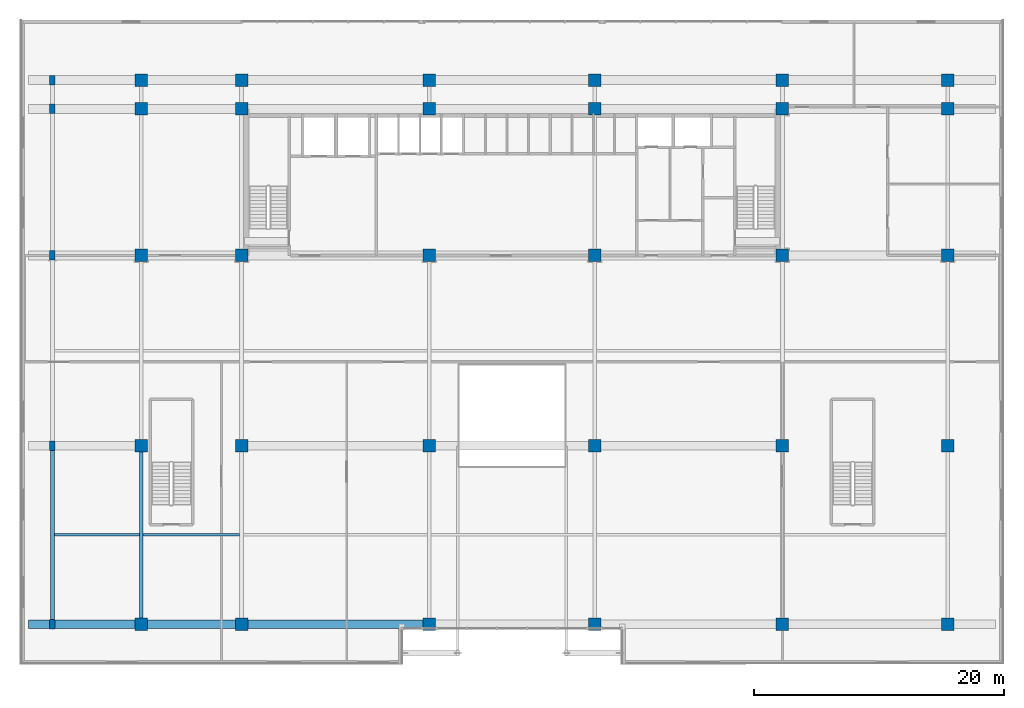
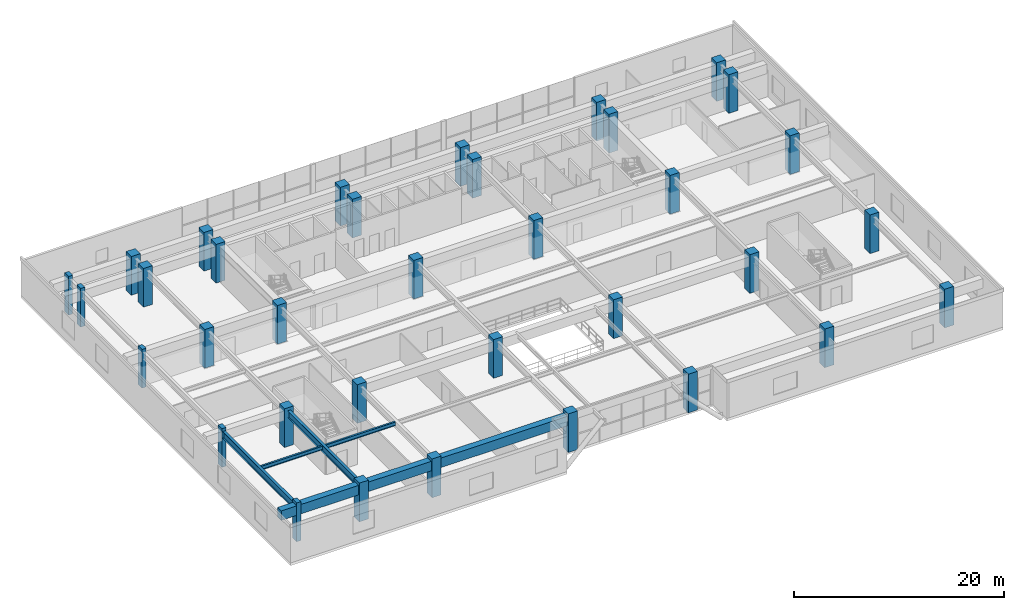
# One storey, part 1 of 21: 35 columns, 7 beams.
"""IFC4 building model written with IfcOpenShell, lengths in metres."""

from ifc_helpers import new_model, si_unit, direction, frame, origin, origin_2d, place, context, subcontext, project, spatial, rectangle, i_section, extrude, source, transform, mapped, material, material_profile, profile_set, type_object, element, save


model = new_model("IFC4")

# Units and contexts
model_context = context("Model", 3, precision=1e-05, world=origin(), true_north=direction((0.0, 1.0)))
body_context = subcontext(model_context, "Body", "Model", "MODEL_VIEW")
ifc_project = project(units=[si_unit("LENGTHUNIT", "METRE"), si_unit("AREAUNIT", "SQUARE_METRE"), si_unit("VOLUMEUNIT", "CUBIC_METRE"), si_unit("PLANEANGLEUNIT", "RADIAN"), si_unit("MASSUNIT", "GRAM", prefix="KILO")], contexts=[model_context])

# Site, building, storey
site_placement = place(None, origin())
site = spatial("IfcSite", under=ifc_project, at=site_placement, CompositionType="ELEMENT")
building_placement = place(site_placement, origin())
building = spatial("IfcBuilding", under=site, at=building_placement, Name="Trelvane Seafront Commons", CompositionType="ELEMENT")
storey_placement = place(building_placement, frame((0.0, 0.0, 14.199951171875)))
storey = spatial("IfcBuildingStorey", under=building, at=storey_placement, Name="L03", CompositionType="ELEMENT", Elevation=14.199951171875)

# Columns
ifc_material_1 = material(Name="Concrete C50/60", Category="concrete")
ifc_material_profile_1 = material_profile(ifc_material_1, rectangle(XDim=0.449951171875, YDim=0.75, at=origin_2d()), Name="RC-450x750")
ifc_profile_set_1 = profile_set([ifc_material_profile_1], Name="Concrete C50/60")
column_type_1 = type_object("IfcColumnType", Name="STR-PIL-RC450x750", PredefinedType="PILASTER", material=ifc_profile_set_1)
shared_shape_1 = source(origin(), body_context, "Body", "SweptSolid", [
    extrude(rectangle(XDim=0.449951171875, YDim=0.75, at=origin_2d()), origin(), (0.0, 0.0, 1.0), 4.5),
])
for number, where, z_axis, x_axis, name in (
    (1, (0.5, 3.949951171875, 0.0), (0.0, 0.0, 1.0), (1.0, 0.0, 0.0), "L03 Column PC-1-1"),
    (2, (0.5, 18.199951171875, 0.0), (0.0, 0.0, 1.0), (1.0, 0.0, 0.0), "L03 Column PC-1-2"),
    (3, (0.5, 33.39990234375, 0.0), (0.0, 0.0, 1.0), (1.0, 0.0, 0.0), "L03 Column PC-1-3"),
    (4, (0.5, 45.10009765625, 0.0), (0.0, 0.0, 1.0), (1.0, 0.0, 0.0), "L03 Column PC-1-4"),
    (5, (0.5, 47.39990234375, 0.0), (0.0, 0.0, 1.0), (1.0, 0.0, 0.0), "L03 Column PC-1-5"),
):
    element("IfcColumn", number, at=place(storey_placement, frame(where, z_axis=z_axis, x_axis=x_axis)), inside=storey, type_object=column_type_1, Name=name, PredefinedType="PILASTER", context=body_context, shape_type="MappedRepresentation", body=[
        mapped(shared_shape_1, transform((0.0, 0.0, 0.0), x_axis=(1.0, 0.0, 0.0), y_axis=(0.0, 1.0, 0.0), z_axis=(0.0, 0.0, 1.0), scale=1.0)),
    ])
ifc_material_2 = material(Name="Concrete C60/75", Category="concrete")
ifc_material_profile_2 = material_profile(ifc_material_2, rectangle(XDim=1.0, YDim=1.0, at=origin_2d()), Name="RC-1000x1000")
ifc_profile_set_2 = profile_set([ifc_material_profile_2], Name="Concrete C60/75")
column_type_2 = type_object("IfcColumnType", Name="STR-COL-RC1000", PredefinedType="COLUMN", material=ifc_profile_set_2)
shared_shape_2 = source(origin(), body_context, "Body", "SweptSolid", [
    extrude(rectangle(XDim=1.0, YDim=1.0, at=origin_2d()), origin(), (0.0, 0.0, 1.0), 4.5),
])
for number, where, z_axis, x_axis, name in (
    (6, (7.60009765625, 3.949951171875, 0.0), (0.0, 0.0, 1.0), (1.0, 0.0, 0.0), "L03 Column PC-2-1"),
    (7, (7.60009765625, 18.199951171875, 0.0), (0.0, 0.0, 1.0), (1.0, 0.0, 0.0), "L03 Column PC-2-2"),
    (8, (7.60009765625, 33.39990234375, 0.0), (0.0, 0.0, 1.0), (1.0, 0.0, 0.0), "L03 Column PC-2-3"),
    (9, (7.60009765625, 45.10009765625, 0.0), (0.0, 0.0, 1.0), (1.0, 0.0, 0.0), "L03 Column PC-2-4"),
    (10, (7.60009765625, 47.39990234375, 0.0), (0.0, 0.0, 1.0), (1.0, 0.0, 0.0), "L03 Column PC-2-5"),
    (11, (15.60009765625, 3.949951171875, 0.0), (0.0, 0.0, 1.0), (1.0, 0.0, 0.0), "L03 Column PC-3-1"),
    (12, (15.60009765625, 18.199951171875, 0.0), (0.0, 0.0, 1.0), (1.0, 0.0, 0.0), "L03 Column PC-3-2"),
    (13, (15.60009765625, 33.39990234375, 0.0), (0.0, 0.0, 1.0), (1.0, 0.0, 0.0), "L03 Column PC-3-3"),
    (14, (15.60009765625, 45.10009765625, 0.0), (0.0, 0.0, 1.0), (1.0, 0.0, 0.0), "L03 Column PC-3-4"),
    (15, (15.60009765625, 47.39990234375, 0.0), (0.0, 0.0, 1.0), (1.0, 0.0, 0.0), "L03 Column PC-3-5"),
    (16, (30.60009765625, 3.949951171875, 0.0), (0.0, 0.0, 1.0), (1.0, 0.0, 0.0), "L03 Column PC-4-1"),
    (17, (30.60009765625, 18.199951171875, 0.0), (0.0, 0.0, 1.0), (1.0, 0.0, 0.0), "L03 Column PC-4-2"),
    (18, (30.60009765625, 33.39990234375, 0.0), (0.0, 0.0, 1.0), (1.0, 0.0, 0.0), "L03 Column PC-4-3"),
    (19, (30.60009765625, 45.10009765625, 0.0), (0.0, 0.0, 1.0), (1.0, 0.0, 0.0), "L03 Column PC-4-4"),
    (20, (30.60009765625, 47.39990234375, 0.0), (0.0, 0.0, 1.0), (1.0, 0.0, 0.0), "L03 Column PC-4-5"),
    (21, (43.800048828125, 3.949951171875, 0.0), (0.0, 0.0, 1.0), (1.0, 0.0, 0.0), "L03 Column PC-5-1"),
    (22, (43.800048828125, 18.199951171875, 0.0), (0.0, 0.0, 1.0), (1.0, 0.0, 0.0), "L03 Column PC-5-2"),
    (23, (43.800048828125, 33.39990234375, 0.0), (0.0, 0.0, 1.0), (1.0, 0.0, 0.0), "L03 Column PC-5-3"),
    (24, (43.800048828125, 45.10009765625, 0.0), (0.0, 0.0, 1.0), (1.0, 0.0, 0.0), "L03 Column PC-5-4"),
    (25, (43.800048828125, 47.39990234375, 0.0), (0.0, 0.0, 1.0), (1.0, 0.0, 0.0), "L03 Column PC-5-5"),
    (26, (58.800048828125, 3.949951171875, 0.0), (0.0, 0.0, 1.0), (1.0, 0.0, 0.0), "L03 Column PC-6-1"),
    (27, (58.800048828125, 18.199951171875, 0.0), (0.0, 0.0, 1.0), (1.0, 0.0, 0.0), "L03 Column PC-6-2"),
    (28, (58.800048828125, 33.39990234375, 0.0), (0.0, 0.0, 1.0), (1.0, 0.0, 0.0), "L03 Column PC-6-3"),
    (29, (58.800048828125, 45.10009765625, 0.0), (0.0, 0.0, 1.0), (1.0, 0.0, 0.0), "L03 Column PC-6-4"),
    (30, (58.800048828125, 47.39990234375, 0.0), (0.0, 0.0, 1.0), (1.0, 0.0, 0.0), "L03 Column PC-6-5"),
    (31, (72.0, 3.949951171875, 0.0), (0.0, 0.0, 1.0), (1.0, 0.0, 0.0), "L03 Column PC-7-1"),
    (32, (72.0, 18.199951171875, 0.0), (0.0, 0.0, 1.0), (1.0, 0.0, 0.0), "L03 Column PC-7-2"),
    (33, (72.0, 33.39990234375, 0.0), (0.0, 0.0, 1.0), (1.0, 0.0, 0.0), "L03 Column PC-7-3"),
    (34, (72.0, 45.10009765625, 0.0), (0.0, 0.0, 1.0), (1.0, 0.0, 0.0), "L03 Column PC-7-4"),
    (35, (72.0, 47.39990234375, 0.0), (0.0, 0.0, 1.0), (1.0, 0.0, 0.0), "L03 Column PC-7-5"),
):
    element("IfcColumn", number, at=place(storey_placement, frame(where, z_axis=z_axis, x_axis=x_axis)), inside=storey, type_object=column_type_2, Name=name, PredefinedType="COLUMN", context=body_context, shape_type="MappedRepresentation", body=[
        mapped(shared_shape_2, transform((0.0, 0.0, 0.0), x_axis=(1.0, 0.0, 0.0), y_axis=(0.0, 1.0, 0.0), z_axis=(0.0, 0.0, 1.0), scale=1.0)),
    ])

# Beams
ifc_material_profile_3 = material_profile(ifc_material_1, rectangle(XDim=0.699951171875, YDim=1.10009765625, at=origin_2d()), Name="RC-700x1100")
ifc_profile_set_3 = profile_set([ifc_material_profile_3], Name="Concrete C50/60")
beam_type_1 = type_object("IfcBeamType", Name="STR-TBM-RC700x1100", PredefinedType="T_BEAM", material=ifc_profile_set_3)
shared_shape_3 = source(origin(), body_context, "Body", "SweptSolid", [
    extrude(rectangle(XDim=0.699951171875, YDim=1.10009765625, at=origin_2d()), origin(), (0.0, 0.0, 1.0), 7.699951171875),
])
beam_1_placement = place(storey_placement, frame((7.75, 3.949951171875, 3.60009765625), z_axis=(1.0, 0.0, 0.0), x_axis=(0.0, 1.0, 0.0)))
element("IfcBeam", 36, at=beam_1_placement, inside=storey, type_object=beam_type_1, Name="L03 Primary Girder G-02", PredefinedType="T_BEAM", context=body_context, shape_type="MappedRepresentation", body=[
    mapped(shared_shape_3, transform((0.0, 0.0, 0.0), x_axis=(1.0, 0.0, 0.0), y_axis=(0.0, 1.0, 0.0), z_axis=(0.0, 0.0, 1.0), scale=1.0)),
])
shared_shape_4 = source(origin(), body_context, "Body", "SweptSolid", [
    extrude(rectangle(XDim=0.699951171875, YDim=1.10009765625, at=origin_2d()), origin(), (0.0, 0.0, 1.0), 14.699951171875),
])
beam_2_placement = place(storey_placement, frame((15.75, 3.949951171875, 3.60009765625), z_axis=(1.0, 0.0, 0.0), x_axis=(0.0, 1.0, 0.0)))
element("IfcBeam", 37, at=beam_2_placement, inside=storey, type_object=beam_type_1, Name="L03 Primary Girder G-03", PredefinedType="T_BEAM", context=body_context, shape_type="MappedRepresentation", body=[
    mapped(shared_shape_4, transform((0.0, 0.0, 0.0), x_axis=(1.0, 0.0, 0.0), y_axis=(0.0, 1.0, 0.0), z_axis=(0.0, 0.0, 1.0), scale=1.0)),
])
ifc_material_3 = material(Name="Steel SM355 (S355)", Category="steel")
ifc_material_profile_4 = material_profile(ifc_material_3, i_section(OverallWidth=0.300048828125, OverallDepth=0.800048828125, WebThickness=0.013916015625, FlangeThickness=0.02587890625, at=origin_2d()), Name="H-800x300x14x26")
ifc_profile_set_4 = profile_set([ifc_material_profile_4], Name="Steel SM355 (S355)")
beam_type_2 = type_object("IfcBeamType", Name="STR-BM-H800", PredefinedType="BEAM", material=ifc_profile_set_4)
shared_shape_5 = source(origin(), body_context, "Body", "SweptSolid", [
    extrude(i_section(OverallWidth=0.300048828125, OverallDepth=0.800048828125, WebThickness=0.013916015625, FlangeThickness=0.02587890625, at=origin_2d()), origin(), (0.0, 0.0, 1.0), 13.949951171875),
])
for number, where, z_axis, x_axis, name in (
    (38, (0.5, 4.10009765625, 3.75), (0.0, 1.0, 0.0), (-1.0, 0.0, 0.0), "L03 Primary Girder G-31"),
    (39, (7.60009765625, 4.10009765625, 3.75), (0.0, 1.0, 0.0), (-1.0, 0.0, 0.0), "L03 Primary Girder G-35"),
):
    element("IfcBeam", number, at=place(storey_placement, frame(where, z_axis=z_axis, x_axis=x_axis)), inside=storey, type_object=beam_type_2, Name=name, PredefinedType="BEAM", context=body_context, shape_type="MappedRepresentation", body=[
        mapped(shared_shape_5, transform((0.0, 0.0, 0.0), x_axis=(1.0, 0.0, 0.0), y_axis=(0.0, 1.0, 0.0), z_axis=(0.0, 0.0, 1.0), scale=1.0)),
    ])
ifc_material_profile_5 = material_profile(ifc_material_3, i_section(OverallWidth=0.199951171875, OverallDepth=0.449951171875, WebThickness=0.009033203125, FlangeThickness=0.013916015625, at=origin_2d()), Name="H-450x200x9x14")
ifc_profile_set_5 = profile_set([ifc_material_profile_5], Name="Steel SM355 (S355)")
beam_type_3 = type_object("IfcBeamType", Name="STR-JST-H450", PredefinedType="JOIST", material=ifc_profile_set_5)
shared_shape_6 = source(origin(), body_context, "Body", "SweptSolid", [
    extrude(i_section(OverallWidth=0.199951171875, OverallDepth=0.449951171875, WebThickness=0.009033203125, FlangeThickness=0.013916015625, at=origin_2d()), origin(), (0.0, 0.0, 1.0), 6.800048828125),
])
beam_3_placement = place(storey_placement, frame((0.64990234375, 11.074951171875, 3.925048828125), z_axis=(1.0, 0.0, 0.0), x_axis=(0.0, 1.0, 0.0)))
element("IfcBeam", 40, at=beam_3_placement, inside=storey, type_object=beam_type_3, Name="L03 Secondary Floor Joist B-59", PredefinedType="JOIST", context=body_context, shape_type="MappedRepresentation", body=[
    mapped(shared_shape_6, transform((0.0, 0.0, 0.0), x_axis=(1.0, 0.0, 0.0), y_axis=(0.0, 1.0, 0.0), z_axis=(0.0, 0.0, 1.0), scale=1.0)),
])
shared_shape_7 = source(origin(), body_context, "Body", "SweptSolid", [
    extrude(i_section(OverallWidth=0.199951171875, OverallDepth=0.449951171875, WebThickness=0.009033203125, FlangeThickness=0.013916015625, at=origin_2d()), origin(), (0.0, 0.0, 1.0), 7.699951171875),
])
beam_4_placement = place(storey_placement, frame((7.75, 11.074951171875, 3.925048828125), z_axis=(1.0, 0.0, 0.0), x_axis=(0.0, 1.0, 0.0)))
element("IfcBeam", 41, at=beam_4_placement, inside=storey, type_object=beam_type_3, Name="L03 Secondary Floor Joist B-60", PredefinedType="JOIST", context=body_context, shape_type="MappedRepresentation", body=[
    mapped(shared_shape_7, transform((0.0, 0.0, 0.0), x_axis=(1.0, 0.0, 0.0), y_axis=(0.0, 1.0, 0.0), z_axis=(0.0, 0.0, 1.0), scale=1.0)),
])
shared_shape_8 = source(origin(), body_context, "Body", "SweptSolid", [
    extrude(rectangle(XDim=0.699951171875, YDim=1.10009765625, at=origin_2d()), origin(), (0.0, 0.0, 1.0), 8.849853515625),
])
beam_5_placement = place(storey_placement, frame((-1.39990234375, 3.949951171875, 3.60009765625), z_axis=(1.0, 0.0, 0.0), x_axis=(0.0, 1.0, 0.0)))
element("IfcBeam", 42, at=beam_5_placement, inside=storey, type_object=beam_type_1, Name="L03 Primary Girder G-01", PredefinedType="T_BEAM", context=body_context, shape_type="MappedRepresentation", body=[
    mapped(shared_shape_8, transform((0.0, 0.0, 0.0), x_axis=(1.0, 0.0, 0.0), y_axis=(0.0, 1.0, 0.0), z_axis=(0.0, 0.0, 1.0), scale=1.0)),
])

save(model, "model.ifc")
